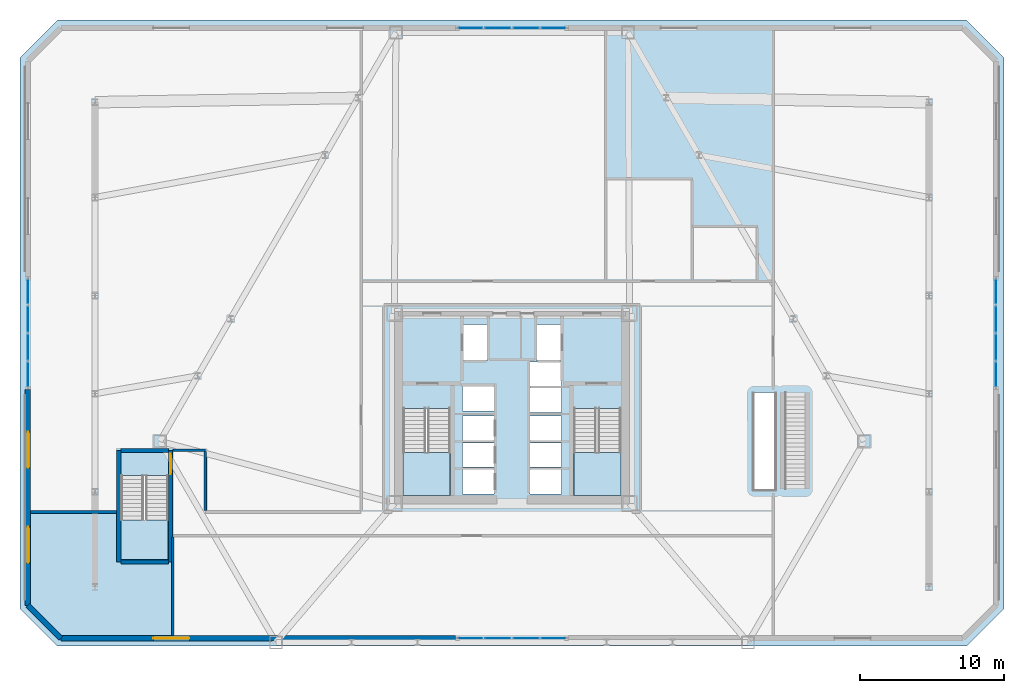
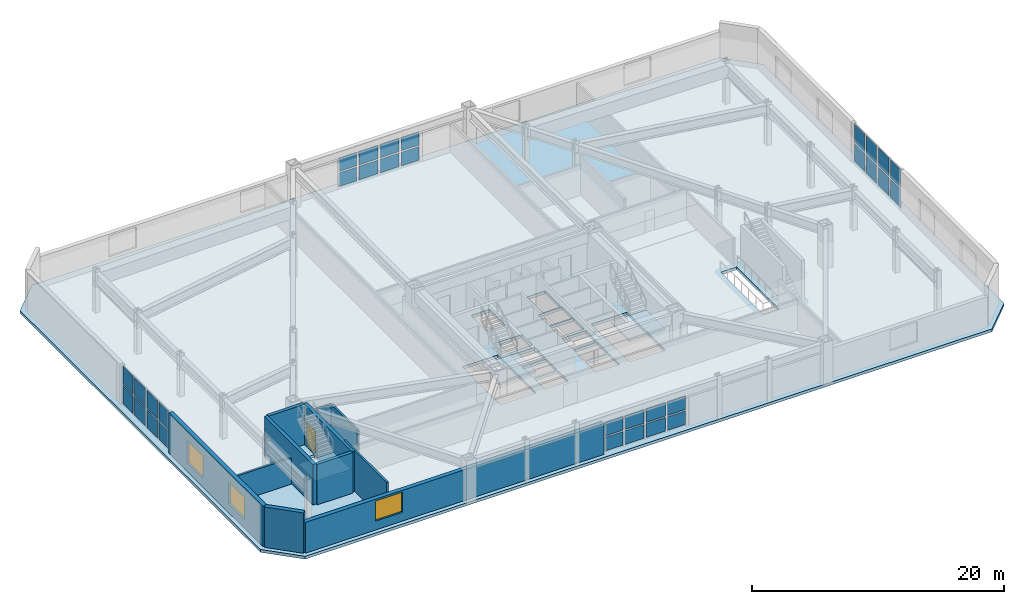
# One storey, part 13 of 22: 32 plates, 11 walls, 4 slabs, 3 windows, 1 door, 4 openings, 7 elements without a shape of their own.
"""IFC4 building model written with IfcOpenShell, lengths in metres."""

from ifc_helpers import new_model, si_unit, direction, frame, frame_2d, origin, origin_2d, place, context, subcontext, project, spatial, polyline, rectangle, outline, extrude, material, layer, layer_set, type_object, element, fill, aggregate, save


model = new_model("IFC4")

# Units and contexts
model_context = context("Model", 3, precision=1e-05, world=origin(), true_north=direction((0.0, 1.0)))
body_context = subcontext(model_context, "Body", "Model", "MODEL_VIEW")
ifc_project = project(units=[si_unit("LENGTHUNIT", "METRE"), si_unit("AREAUNIT", "SQUARE_METRE"), si_unit("VOLUMEUNIT", "CUBIC_METRE"), si_unit("PLANEANGLEUNIT", "RADIAN"), si_unit("MASSUNIT", "GRAM", prefix="KILO")], contexts=[model_context])

# Site, building, storey
site_placement = place(None, origin())
site = spatial("IfcSite", under=ifc_project, at=site_placement, CompositionType="ELEMENT")
building_placement = place(site_placement, origin())
building = spatial("IfcBuilding", under=site, at=building_placement, Name="Oramaril Tower", CompositionType="ELEMENT")
storey_placement = place(building_placement, frame((0.0, 0.0, 14.10009765625)))
storey = spatial("IfcBuildingStorey", under=building, at=storey_placement, Name="L03", CompositionType="ELEMENT", Elevation=14.10009765625)

# Curtain wall, plates
ifc_material_1 = material(Name="Anodised Aluminium 6063-T6", Category="aluminium")
ifc_layer_1 = layer(ifc_material_1, 0.219970703125)
ifc_layer_set_1 = layer_set([ifc_layer_1], Name="CWT-SYS2")
curtain_wall_type = type_object("IfcCurtainWallType", Name="CWT-SYS2", PredefinedType="NOTDEFINED", material=ifc_layer_set_1)
curtain_wall_1_placement = place(storey_placement, origin())
curtain_wall_1 = element("IfcCurtainWall", 1, at=curtain_wall_1_placement, inside=storey, type_object=curtain_wall_type, Name="L03 Unitised Curtain Wall CW-2", PredefinedType="NOTDEFINED")
ifc_material_2 = material(Name="Coastal Low-E Insulated Glass", Category="glass")
ifc_layer_2 = layer(ifc_material_2, 0.028076171875)
ifc_layer_set_2 = layer_set([ifc_layer_2], Name="PLT-CWP1")
plate_type = type_object("IfcPlateType", Name="PLT-CWP1", PredefinedType="CURTAIN_PANEL", material=ifc_layer_set_2)
plate_1_placement = place(storey_placement, frame((34.6298828125, 1.64990234375, 0.139892578125), z_axis=(0.0, 0.0, 1.0), x_axis=(1.0, 0.0, 0.0)))
plate_1 = element("IfcPlate", 2, at=plate_1_placement, type_object=plate_type, Name="CW-2 panel 1.1", PredefinedType="CURTAIN_PANEL", context=body_context, shape_type="SweptSolid", body=[
    extrude(rectangle(XDim=1.6201171875, YDim=0.028076171875, at=origin_2d()), origin(), (0.0, 0.0, 1.0), 1.31689453125),
])
plate_2_placement = place(storey_placement, frame((34.6298828125, 1.64990234375, 1.596923828125), z_axis=(0.0, 0.0, 1.0), x_axis=(1.0, 0.0, 0.0)))
plate_2 = element("IfcPlate", 3, at=plate_2_placement, type_object=plate_type, Name="CW-2 panel 1.2", PredefinedType="CURTAIN_PANEL", context=body_context, shape_type="SweptSolid", body=[
    extrude(rectangle(XDim=1.6201171875, YDim=0.028076171875, at=origin_2d()), origin(), (0.0, 0.0, 1.0), 1.31689453125),
])
plate_3_placement = place(storey_placement, frame((36.52490234375, 1.64990234375, 0.139892578125), z_axis=(0.0, 0.0, 1.0), x_axis=(1.0, 0.0, 0.0)))
plate_3 = element("IfcPlate", 4, at=plate_3_placement, type_object=plate_type, Name="CW-2 panel 2.1", PredefinedType="CURTAIN_PANEL", context=body_context, shape_type="SweptSolid", body=[
    extrude(rectangle(XDim=1.72998046875, YDim=0.028076171875, at=origin_2d()), origin(), (0.0, 0.0, 1.0), 1.31689453125),
])
plate_4_placement = place(storey_placement, frame((36.52490234375, 1.64990234375, 1.596923828125), z_axis=(0.0, 0.0, 1.0), x_axis=(1.0, 0.0, 0.0)))
plate_4 = element("IfcPlate", 5, at=plate_4_placement, type_object=plate_type, Name="CW-2 panel 2.2", PredefinedType="CURTAIN_PANEL", context=body_context, shape_type="SweptSolid", body=[
    extrude(rectangle(XDim=1.72998046875, YDim=0.028076171875, at=origin_2d()), origin(), (0.0, 0.0, 1.0), 1.31689453125),
])
plate_5_placement = place(storey_placement, frame((38.47509765625, 1.64990234375, 0.139892578125), z_axis=(0.0, 0.0, 1.0), x_axis=(1.0, 0.0, 0.0)))
plate_5 = element("IfcPlate", 6, at=plate_5_placement, type_object=plate_type, Name="CW-2 panel 3.1", PredefinedType="CURTAIN_PANEL", context=body_context, shape_type="SweptSolid", body=[
    extrude(rectangle(XDim=1.72998046875, YDim=0.028076171875, at=origin_2d()), origin(), (0.0, 0.0, 1.0), 1.31689453125),
])
plate_6_placement = place(storey_placement, frame((38.47509765625, 1.64990234375, 1.596923828125), z_axis=(0.0, 0.0, 1.0), x_axis=(1.0, 0.0, 0.0)))
plate_6 = element("IfcPlate", 7, at=plate_6_placement, type_object=plate_type, Name="CW-2 panel 3.2", PredefinedType="CURTAIN_PANEL", context=body_context, shape_type="SweptSolid", body=[
    extrude(rectangle(XDim=1.72998046875, YDim=0.028076171875, at=origin_2d()), origin(), (0.0, 0.0, 1.0), 1.31689453125),
])
plate_7_placement = place(storey_placement, frame((40.3701171875, 1.64990234375, 0.139892578125), z_axis=(0.0, 0.0, 1.0), x_axis=(1.0, 0.0, 0.0)))
plate_7 = element("IfcPlate", 8, at=plate_7_placement, type_object=plate_type, Name="CW-2 panel 4.1", PredefinedType="CURTAIN_PANEL", context=body_context, shape_type="SweptSolid", body=[
    extrude(rectangle(XDim=1.6201171875, YDim=0.028076171875, at=origin_2d()), origin(), (0.0, 0.0, 1.0), 1.31689453125),
])
plate_8_placement = place(storey_placement, frame((40.3701171875, 1.64990234375, 1.596923828125), z_axis=(0.0, 0.0, 1.0), x_axis=(1.0, 0.0, 0.0)))
plate_8 = element("IfcPlate", 9, at=plate_8_placement, type_object=plate_type, Name="CW-2 panel 4.2", PredefinedType="CURTAIN_PANEL", context=body_context, shape_type="SweptSolid", body=[
    extrude(rectangle(XDim=1.6201171875, YDim=0.028076171875, at=origin_2d()), origin(), (0.0, 0.0, 1.0), 1.31689453125),
])
aggregate(curtain_wall_1, [plate_1, plate_2, plate_3, plate_4, plate_5, plate_6, plate_7, plate_8])

curtain_wall_2_placement = place(storey_placement, origin())
curtain_wall_2 = element("IfcCurtainWall", 10, at=curtain_wall_2_placement, inside=storey, type_object=curtain_wall_type, Name="L03 Unitised Curtain Wall CW-2", PredefinedType="NOTDEFINED")
plate_9_placement = place(storey_placement, frame((71.050048828125, 19.929931640625, 0.139892578125), z_axis=(0.0, 0.0, 1.0), x_axis=(0.0, 1.0, 0.0)))
plate_9 = element("IfcPlate", 11, at=plate_9_placement, type_object=plate_type, Name="CW-2 panel 1.1", PredefinedType="CURTAIN_PANEL", context=body_context, shape_type="SweptSolid", body=[
    extrude(rectangle(XDim=1.6201171875, YDim=0.028076171875, at=origin_2d()), origin(), (0.0, 0.0, 1.0), 1.75),
])
plate_10_placement = place(storey_placement, frame((71.050048828125, 19.929931640625, 2.02978515625), z_axis=(0.0, 0.0, 1.0), x_axis=(0.0, 1.0, 0.0)))
plate_10 = element("IfcPlate", 12, at=plate_10_placement, type_object=plate_type, Name="CW-2 panel 1.2", PredefinedType="CURTAIN_PANEL", context=body_context, shape_type="SweptSolid", body=[
    extrude(rectangle(XDim=1.6201171875, YDim=0.028076171875, at=origin_2d()), origin(), (0.0, 0.0, 1.0), 1.75),
])
plate_11_placement = place(storey_placement, frame((71.050048828125, 21.824951171875, 0.139892578125), z_axis=(0.0, 0.0, 1.0), x_axis=(0.0, 1.0, 0.0)))
plate_11 = element("IfcPlate", 13, at=plate_11_placement, type_object=plate_type, Name="CW-2 panel 2.1", PredefinedType="CURTAIN_PANEL", context=body_context, shape_type="SweptSolid", body=[
    extrude(rectangle(XDim=1.72998046875, YDim=0.028076171875, at=origin_2d()), origin(), (0.0, 0.0, 1.0), 1.75),
])
plate_12_placement = place(storey_placement, frame((71.050048828125, 21.824951171875, 2.02978515625), z_axis=(0.0, 0.0, 1.0), x_axis=(0.0, 1.0, 0.0)))
plate_12 = element("IfcPlate", 14, at=plate_12_placement, type_object=plate_type, Name="CW-2 panel 2.2", PredefinedType="CURTAIN_PANEL", context=body_context, shape_type="SweptSolid", body=[
    extrude(rectangle(XDim=1.72998046875, YDim=0.028076171875, at=origin_2d()), origin(), (0.0, 0.0, 1.0), 1.75),
])
plate_13_placement = place(storey_placement, frame((71.050048828125, 23.77490234375, 0.139892578125), z_axis=(0.0, 0.0, 1.0), x_axis=(0.0, 1.0, 0.0)))
plate_13 = element("IfcPlate", 15, at=plate_13_placement, type_object=plate_type, Name="CW-2 panel 3.1", PredefinedType="CURTAIN_PANEL", context=body_context, shape_type="SweptSolid", body=[
    extrude(rectangle(XDim=1.72998046875, YDim=0.028076171875, at=origin_2d()), origin(), (0.0, 0.0, 1.0), 1.75),
])
plate_14_placement = place(storey_placement, frame((71.050048828125, 23.77490234375, 2.02978515625), z_axis=(0.0, 0.0, 1.0), x_axis=(0.0, 1.0, 0.0)))
plate_14 = element("IfcPlate", 16, at=plate_14_placement, type_object=plate_type, Name="CW-2 panel 3.2", PredefinedType="CURTAIN_PANEL", context=body_context, shape_type="SweptSolid", body=[
    extrude(rectangle(XDim=1.72998046875, YDim=0.028076171875, at=origin_2d()), origin(), (0.0, 0.0, 1.0), 1.75),
])
plate_15_placement = place(storey_placement, frame((71.050048828125, 25.669921875, 0.139892578125), z_axis=(0.0, 0.0, 1.0), x_axis=(0.0, 1.0, 0.0)))
plate_15 = element("IfcPlate", 17, at=plate_15_placement, type_object=plate_type, Name="CW-2 panel 4.1", PredefinedType="CURTAIN_PANEL", context=body_context, shape_type="SweptSolid", body=[
    extrude(rectangle(XDim=1.6201171875, YDim=0.028076171875, at=origin_2d()), origin(), (0.0, 0.0, 1.0), 1.75),
])
plate_16_placement = place(storey_placement, frame((71.050048828125, 25.669921875, 2.02978515625), z_axis=(0.0, 0.0, 1.0), x_axis=(0.0, 1.0, 0.0)))
plate_16 = element("IfcPlate", 18, at=plate_16_placement, type_object=plate_type, Name="CW-2 panel 4.2", PredefinedType="CURTAIN_PANEL", context=body_context, shape_type="SweptSolid", body=[
    extrude(rectangle(XDim=1.6201171875, YDim=0.028076171875, at=origin_2d()), origin(), (0.0, 0.0, 1.0), 1.75),
])
aggregate(curtain_wall_2, [plate_9, plate_10, plate_11, plate_12, plate_13, plate_14, plate_15, plate_16])

curtain_wall_3_placement = place(storey_placement, origin())
curtain_wall_3 = element("IfcCurtainWall", 19, at=curtain_wall_3_placement, inside=storey, type_object=curtain_wall_type, Name="L03 Unitised Curtain Wall CW-2", PredefinedType="NOTDEFINED")
plate_17_placement = place(storey_placement, frame((40.3701171875, 43.949951171875, 0.139892578125), z_axis=(0.0, 0.0, 1.0), x_axis=(-1.0, 0.0, 0.0)))
plate_17 = element("IfcPlate", 20, at=plate_17_placement, type_object=plate_type, Name="CW-2 panel 1.1", PredefinedType="CURTAIN_PANEL", context=body_context, shape_type="SweptSolid", body=[
    extrude(rectangle(XDim=1.6201171875, YDim=0.028076171875, at=origin_2d()), origin(), (0.0, 0.0, 1.0), 1.31689453125),
])
plate_18_placement = place(storey_placement, frame((40.3701171875, 43.949951171875, 1.596923828125), z_axis=(0.0, 0.0, 1.0), x_axis=(-1.0, 0.0, 0.0)))
plate_18 = element("IfcPlate", 21, at=plate_18_placement, type_object=plate_type, Name="CW-2 panel 1.2", PredefinedType="CURTAIN_PANEL", context=body_context, shape_type="SweptSolid", body=[
    extrude(rectangle(XDim=1.6201171875, YDim=0.028076171875, at=origin_2d()), origin(), (0.0, 0.0, 1.0), 1.31689453125),
])
plate_19_placement = place(storey_placement, frame((38.47509765625, 43.949951171875, 0.139892578125), z_axis=(0.0, 0.0, 1.0), x_axis=(-1.0, 0.0, 0.0)))
plate_19 = element("IfcPlate", 22, at=plate_19_placement, type_object=plate_type, Name="CW-2 panel 2.1", PredefinedType="CURTAIN_PANEL", context=body_context, shape_type="SweptSolid", body=[
    extrude(rectangle(XDim=1.72998046875, YDim=0.028076171875, at=origin_2d()), origin(), (0.0, 0.0, 1.0), 1.31689453125),
])
plate_20_placement = place(storey_placement, frame((38.47509765625, 43.949951171875, 1.596923828125), z_axis=(0.0, 0.0, 1.0), x_axis=(-1.0, 0.0, 0.0)))
plate_20 = element("IfcPlate", 23, at=plate_20_placement, type_object=plate_type, Name="CW-2 panel 2.2", PredefinedType="CURTAIN_PANEL", context=body_context, shape_type="SweptSolid", body=[
    extrude(rectangle(XDim=1.72998046875, YDim=0.028076171875, at=origin_2d()), origin(), (0.0, 0.0, 1.0), 1.31689453125),
])
plate_21_placement = place(storey_placement, frame((36.52490234375, 43.949951171875, 0.139892578125), z_axis=(0.0, 0.0, 1.0), x_axis=(-1.0, 0.0, 0.0)))
plate_21 = element("IfcPlate", 24, at=plate_21_placement, type_object=plate_type, Name="CW-2 panel 3.1", PredefinedType="CURTAIN_PANEL", context=body_context, shape_type="SweptSolid", body=[
    extrude(rectangle(XDim=1.72998046875, YDim=0.028076171875, at=origin_2d()), origin(), (0.0, 0.0, 1.0), 1.31689453125),
])
plate_22_placement = place(storey_placement, frame((36.52490234375, 43.949951171875, 1.596923828125), z_axis=(0.0, 0.0, 1.0), x_axis=(-1.0, 0.0, 0.0)))
plate_22 = element("IfcPlate", 25, at=plate_22_placement, type_object=plate_type, Name="CW-2 panel 3.2", PredefinedType="CURTAIN_PANEL", context=body_context, shape_type="SweptSolid", body=[
    extrude(rectangle(XDim=1.72998046875, YDim=0.028076171875, at=origin_2d()), origin(), (0.0, 0.0, 1.0), 1.31689453125),
])
plate_23_placement = place(storey_placement, frame((34.6298828125, 43.949951171875, 0.139892578125), z_axis=(0.0, 0.0, 1.0), x_axis=(-1.0, 0.0, 0.0)))
plate_23 = element("IfcPlate", 26, at=plate_23_placement, type_object=plate_type, Name="CW-2 panel 4.1", PredefinedType="CURTAIN_PANEL", context=body_context, shape_type="SweptSolid", body=[
    extrude(rectangle(XDim=1.6201171875, YDim=0.028076171875, at=origin_2d()), origin(), (0.0, 0.0, 1.0), 1.31689453125),
])
plate_24_placement = place(storey_placement, frame((34.6298828125, 43.949951171875, 1.596923828125), z_axis=(0.0, 0.0, 1.0), x_axis=(-1.0, 0.0, 0.0)))
plate_24 = element("IfcPlate", 27, at=plate_24_placement, type_object=plate_type, Name="CW-2 panel 4.2", PredefinedType="CURTAIN_PANEL", context=body_context, shape_type="SweptSolid", body=[
    extrude(rectangle(XDim=1.6201171875, YDim=0.028076171875, at=origin_2d()), origin(), (0.0, 0.0, 1.0), 1.31689453125),
])
aggregate(curtain_wall_3, [plate_17, plate_18, plate_19, plate_20, plate_21, plate_22, plate_23, plate_24])

curtain_wall_4_placement = place(storey_placement, origin())
curtain_wall_4 = element("IfcCurtainWall", 28, at=curtain_wall_4_placement, inside=storey, type_object=curtain_wall_type, Name="L03 Unitised Curtain Wall CW-2", PredefinedType="NOTDEFINED")
plate_25_placement = place(storey_placement, frame((3.949951171875, 25.669921875, 0.139892578125), z_axis=(0.0, 0.0, 1.0), x_axis=(0.0, -1.0, 0.0)))
plate_25 = element("IfcPlate", 29, at=plate_25_placement, type_object=plate_type, Name="CW-2 panel 1.1", PredefinedType="CURTAIN_PANEL", context=body_context, shape_type="SweptSolid", body=[
    extrude(rectangle(XDim=1.6201171875, YDim=0.028076171875, at=origin_2d()), origin(), (0.0, 0.0, 1.0), 1.75),
])
plate_26_placement = place(storey_placement, frame((3.949951171875, 25.669921875, 2.02978515625), z_axis=(0.0, 0.0, 1.0), x_axis=(0.0, -1.0, 0.0)))
plate_26 = element("IfcPlate", 30, at=plate_26_placement, type_object=plate_type, Name="CW-2 panel 1.2", PredefinedType="CURTAIN_PANEL", context=body_context, shape_type="SweptSolid", body=[
    extrude(rectangle(XDim=1.6201171875, YDim=0.028076171875, at=origin_2d()), origin(), (0.0, 0.0, 1.0), 1.75),
])
plate_27_placement = place(storey_placement, frame((3.949951171875, 23.77490234375, 0.139892578125), z_axis=(0.0, 0.0, 1.0), x_axis=(0.0, -1.0, 0.0)))
plate_27 = element("IfcPlate", 31, at=plate_27_placement, type_object=plate_type, Name="CW-2 panel 2.1", PredefinedType="CURTAIN_PANEL", context=body_context, shape_type="SweptSolid", body=[
    extrude(rectangle(XDim=1.72998046875, YDim=0.028076171875, at=origin_2d()), origin(), (0.0, 0.0, 1.0), 1.75),
])
plate_28_placement = place(storey_placement, frame((3.949951171875, 23.77490234375, 2.02978515625), z_axis=(0.0, 0.0, 1.0), x_axis=(0.0, -1.0, 0.0)))
plate_28 = element("IfcPlate", 32, at=plate_28_placement, type_object=plate_type, Name="CW-2 panel 2.2", PredefinedType="CURTAIN_PANEL", context=body_context, shape_type="SweptSolid", body=[
    extrude(rectangle(XDim=1.72998046875, YDim=0.028076171875, at=origin_2d()), origin(), (0.0, 0.0, 1.0), 1.75),
])
plate_29_placement = place(storey_placement, frame((3.949951171875, 21.824951171875, 0.139892578125), z_axis=(0.0, 0.0, 1.0), x_axis=(0.0, -1.0, 0.0)))
plate_29 = element("IfcPlate", 33, at=plate_29_placement, type_object=plate_type, Name="CW-2 panel 3.1", PredefinedType="CURTAIN_PANEL", context=body_context, shape_type="SweptSolid", body=[
    extrude(rectangle(XDim=1.72998046875, YDim=0.028076171875, at=origin_2d()), origin(), (0.0, 0.0, 1.0), 1.75),
])
plate_30_placement = place(storey_placement, frame((3.949951171875, 21.824951171875, 2.02978515625), z_axis=(0.0, 0.0, 1.0), x_axis=(0.0, -1.0, 0.0)))
plate_30 = element("IfcPlate", 34, at=plate_30_placement, type_object=plate_type, Name="CW-2 panel 3.2", PredefinedType="CURTAIN_PANEL", context=body_context, shape_type="SweptSolid", body=[
    extrude(rectangle(XDim=1.72998046875, YDim=0.028076171875, at=origin_2d()), origin(), (0.0, 0.0, 1.0), 1.75),
])
plate_31_placement = place(storey_placement, frame((3.949951171875, 19.929931640625, 0.139892578125), z_axis=(0.0, 0.0, 1.0), x_axis=(0.0, -1.0, 0.0)))
plate_31 = element("IfcPlate", 35, at=plate_31_placement, type_object=plate_type, Name="CW-2 panel 4.1", PredefinedType="CURTAIN_PANEL", context=body_context, shape_type="SweptSolid", body=[
    extrude(rectangle(XDim=1.6201171875, YDim=0.028076171875, at=origin_2d()), origin(), (0.0, 0.0, 1.0), 1.75),
])
plate_32_placement = place(storey_placement, frame((3.949951171875, 19.929931640625, 2.02978515625), z_axis=(0.0, 0.0, 1.0), x_axis=(0.0, -1.0, 0.0)))
plate_32 = element("IfcPlate", 36, at=plate_32_placement, type_object=plate_type, Name="CW-2 panel 4.2", PredefinedType="CURTAIN_PANEL", context=body_context, shape_type="SweptSolid", body=[
    extrude(rectangle(XDim=1.6201171875, YDim=0.028076171875, at=origin_2d()), origin(), (0.0, 0.0, 1.0), 1.75),
])
aggregate(curtain_wall_4, [plate_25, plate_26, plate_27, plate_28, plate_29, plate_30, plate_31, plate_32])

# Stair, slab
ifc_material_3 = material(Name="Concrete C50/60", Category="concrete")
stair_type = type_object("IfcStairType", Name="STT-DG-4200", PredefinedType="HALF_TURN_STAIR", material=ifc_material_3)
stair_1_placement = place(storey_placement, origin())
stair_1 = element("IfcStair", 37, at=stair_1_placement, inside=storey, type_object=stair_type, Name="L03 Protected PFP Exit Stair ST-1", PredefinedType="HALF_TURN_STAIR")
ifc_material_4 = material(Name="Concrete C50/60", Category="concrete")
ifc_layer_3 = layer(ifc_material_4, 0.199951171875)
ifc_layer_set_3 = layer_set([ifc_layer_3], Name="SLT-LND20")
slab_type_1 = type_object("IfcSlabType", Name="SLT-LND20", PredefinedType="LANDING", material=ifc_layer_set_3)
slab_1_placement = place(storey_placement, frame((0.0, 0.0, 1.89990234375)))
slab_1 = element("IfcSlab", 38, at=slab_1_placement, type_object=slab_type_1, Name="ST-1 landing 1", PredefinedType="LANDING", context=body_context, shape_type="SweptSolid", body=[
    extrude(outline(polyline([(29.949951171875, 14.510009765625), (29.949951171875, 11.550048828125), (33.219970703125, 11.550048828125), (33.219970703125, 14.510009765625), (29.949951171875, 14.510009765625)])), origin(), (0.0, 0.0, 1.0), 0.199951171875),
])
aggregate(stair_1, [slab_1])

stair_2_placement = place(storey_placement, origin())
stair_2 = element("IfcStair", 39, at=stair_2_placement, inside=storey, type_object=stair_type, Name="L03 Protected PFP Exit Stair ST-2", PredefinedType="HALF_TURN_STAIR")
slab_2_placement = place(storey_placement, frame((0.0, 0.0, 1.89990234375)))
slab_2 = element("IfcSlab", 40, at=slab_2_placement, type_object=slab_type_1, Name="ST-2 landing 1", PredefinedType="LANDING", context=body_context, shape_type="SweptSolid", body=[
    extrude(outline(polyline([(41.780029296875, 14.510009765625), (41.780029296875, 11.550048828125), (45.050048828125, 11.550048828125), (45.050048828125, 14.510009765625), (41.780029296875, 14.510009765625)])), origin(), (0.0, 0.0, 1.0), 0.199951171875),
])
aggregate(stair_2, [slab_2])

stair_3_placement = place(storey_placement, origin())
stair_3 = element("IfcStair", 41, at=stair_3_placement, inside=storey, type_object=stair_type, Name="L03 Podium Enclosed Exit Stair ST-3", PredefinedType="HALF_TURN_STAIR")
slab_3_placement = place(storey_placement, frame((0.0, 0.0, 1.89990234375)))
slab_3 = element("IfcSlab", 42, at=slab_3_placement, type_object=slab_type_1, Name="ST-3 landing 1", PredefinedType="LANDING", context=body_context, shape_type="SweptSolid", body=[
    extrude(outline(polyline([(10.39990234375, 9.860107421875), (10.39990234375, 7.10009765625), (13.669921875, 7.10009765625), (13.669921875, 9.860107421875), (10.39990234375, 9.860107421875)])), origin(), (0.0, 0.0, 1.0), 0.199951171875),
])
aggregate(stair_3, [slab_3])

# Slab
ifc_material_5 = material(Name="Concrete C50/60", Category="concrete")
ifc_layer_4 = layer(ifc_material_5, 0.280029296875)
ifc_layer_set_4 = layer_set([ifc_layer_4], Name="SLT-POD28")
slab_type_2 = type_object("IfcSlabType", Name="SLT-POD28", PredefinedType="FLOOR", material=ifc_layer_set_4)
slab_4_placement = place(storey_placement, frame((0.0, 0.0, -0.280029296875)))
element("IfcSlab", 43, at=slab_4_placement, inside=storey, type_object=slab_type_2, Name="L03 Structural Floor Slab", PredefinedType="FLOOR", context=body_context, shape_type="SweptSolid", body=[
    extrude(outline(polyline([(6.0, 1.10009765625), (69.0, 1.10009765625), (71.60009765625, 3.699951171875), (71.60009765625, 41.89990234375), (69.0, 44.5), (6.0, 44.5), (3.39990234375, 41.89990234375), (3.39990234375, 3.699951171875), (6.0, 1.10009765625)]), holes=[polyline([(29.949951171875, 17.58935546875), (29.949951171875, 11.550048828125), (33.219970703125, 11.550048828125), (33.219970703125, 17.58935546875), (29.949951171875, 17.58935546875)]), polyline([(41.780029296875, 17.58935546875), (41.780029296875, 11.550048828125), (45.050048828125, 11.550048828125), (45.050048828125, 17.58935546875), (41.780029296875, 17.58935546875)]), polyline([(10.39990234375, 12.939453125), (10.39990234375, 7.10009765625), (13.669921875, 7.10009765625), (13.669921875, 12.939453125), (10.39990234375, 12.939453125)]), polyline([(54.27490234375, 11.949951171875), (55.72509765625, 11.949951171875), (55.72509765625, 18.66943359375), (54.27490234375, 18.66943359375), (54.27490234375, 11.949951171875)]), polyline([(34.110107421875, 20.909912109375), (35.7900390625, 20.909912109375), (35.7900390625, 23.389892578125), (34.110107421875, 23.389892578125), (34.110107421875, 20.909912109375)]), polyline([(39.2099609375, 20.909912109375), (40.889892578125, 20.909912109375), (40.889892578125, 23.389892578125), (39.2099609375, 23.389892578125), (39.2099609375, 20.909912109375)]), polyline([(34.06005859375, 11.659912109375), (36.239990234375, 11.659912109375), (36.239990234375, 13.340087890625), (34.06005859375, 13.340087890625), (34.06005859375, 11.659912109375)]), polyline([(34.06005859375, 13.510009765625), (36.239990234375, 13.510009765625), (36.239990234375, 15.18994140625), (34.06005859375, 15.18994140625), (34.06005859375, 13.510009765625)]), polyline([(34.06005859375, 15.360107421875), (36.239990234375, 15.360107421875), (36.239990234375, 17.0400390625), (34.06005859375, 17.0400390625), (34.06005859375, 15.360107421875)]), polyline([(38.760009765625, 11.659912109375), (40.93994140625, 11.659912109375), (40.93994140625, 13.340087890625), (38.760009765625, 13.340087890625), (38.760009765625, 11.659912109375)]), polyline([(38.760009765625, 13.510009765625), (40.93994140625, 13.510009765625), (40.93994140625, 15.18994140625), (38.760009765625, 15.18994140625), (38.760009765625, 13.510009765625)]), polyline([(38.760009765625, 15.360107421875), (40.93994140625, 15.360107421875), (40.93994140625, 17.0400390625), (38.760009765625, 17.0400390625), (38.760009765625, 15.360107421875)]), polyline([(34.06005859375, 17.409912109375), (36.239990234375, 17.409912109375), (36.239990234375, 19.090087890625), (34.06005859375, 19.090087890625), (34.06005859375, 17.409912109375)]), polyline([(38.760009765625, 17.31005859375), (40.93994140625, 17.31005859375), (40.93994140625, 18.989990234375), (38.760009765625, 18.989990234375), (38.760009765625, 17.31005859375)]), polyline([(38.760009765625, 19.110107421875), (40.93994140625, 19.110107421875), (40.93994140625, 20.7900390625), (38.760009765625, 20.7900390625), (38.760009765625, 19.110107421875)])]), origin(), (0.0, 0.0, 1.0), 0.280029296875),
])

# Wall, opening, window
ifc_material_6 = material(Name="Warm Cream Limestone", Category="masonry")
ifc_layer_5 = layer(ifc_material_6, 0.3798828125)
ifc_layer_set_5 = layer_set([ifc_layer_5], Name="WT-EXT38")
wall_type_1 = type_object("IfcWallType", Name="WT-EXT38", PredefinedType="SOLIDWALL", material=ifc_layer_set_5)
wall_1_placement = place(storey_placement, frame((6.227783203125, 1.64990234375, 0.0), z_axis=(0.0, 0.0, 1.0), x_axis=(1.0, 0.0, 0.0)))
wall_1 = element("IfcWall", 44, at=wall_1_placement, inside=storey, type_object=wall_type_1, Name="L03 Limestone Facade Wall EW-1A", PredefinedType="SOLIDWALL", context=body_context, shape_type="SweptSolid", body=[
    extrude(rectangle(XDim=27.372314453125, YDim=0.3798828125, at=frame_2d((13.68603515625, 0.0))), origin(), (0.0, 0.0, 1.0), 2.98291015625),
])
opening_1_placement = place(wall_1_placement, frame((6.414306640625, 0.0, 0.85009765625)))
opening_1 = element("IfcOpeningElement", 45, at=opening_1_placement, cuts=wall_1, Name="Opening WN-11", PredefinedType="OPENING", context=body_context, shape_type="SweptSolid", body=[
    extrude(rectangle(XDim=2.5, YDim=1.962890625, at=frame_2d((1.25, 0.9814453125))), frame((0.0, 0.18994140625, 0.0), z_axis=(0.0, -1.0, 0.0), x_axis=(1.0, 0.0, 0.0)), (0.0, 0.0, 1.0), 0.3798828125),
])
ifc_material_7 = material(Name="Coastal Low-E Insulated Glass", Category="glass")
window_type = type_object("IfcWindowType", Name="WNT-11", PartitioningType="SINGLE_PANEL", PredefinedType="WINDOW", material=ifc_material_7)
window_1_placement = place(opening_1_placement, origin())
window_1 = element("IfcWindow", 46, at=window_1_placement, inside=storey, type_object=window_type, Name="L03 Podium Chicago Window", OverallHeight=1.962890625, OverallWidth=2.5, PartitioningType="SINGLE_PANEL", PredefinedType="WINDOW", context=body_context, shape_type="SweptSolid", body=[
    extrude(rectangle(XDim=2.5, YDim=1.962890625, at=frame_2d((1.25, 0.9814453125))), frame((0.0, 0.030029296875, 0.0), z_axis=(0.0, -1.0, 0.0), x_axis=(1.0, 0.0, 0.0)), (0.0, 0.0, 1.0), 0.06005859375),
])
fill(opening_1, window_1)

# Wall, openings, windows
wall_2_placement = place(storey_placement, frame((3.949951171875, 18.89990234375, 0.0), z_axis=(0.0, 0.0, 1.0), x_axis=(0.0, -1.0, 0.0)))
wall_2 = element("IfcWall", 47, at=wall_2_placement, inside=storey, type_object=wall_type_1, Name="L03 Limestone Facade Wall EW-7B", PredefinedType="SOLIDWALL", context=body_context, shape_type="SweptSolid", body=[
    extrude(rectangle(XDim=14.97216796875, YDim=0.3798828125, at=frame_2d((7.486083984375, 0.0))), origin(), (0.0, 0.0, 1.0), 3.919921875),
])
opening_2_placement = place(wall_2_placement, frame((2.942138671875, 0.0, 0.85009765625)))
opening_2 = element("IfcOpeningElement", 48, at=opening_2_placement, cuts=wall_2, Name="Opening WN-11", PredefinedType="OPENING", context=body_context, shape_type="SweptSolid", body=[
    extrude(rectangle(XDim=2.5, YDim=2.14990234375, at=frame_2d((1.25, 1.074951171875))), frame((0.0, 0.18994140625, 0.0), z_axis=(0.0, -1.0, 0.0), x_axis=(1.0, 0.0, 0.0)), (0.0, 0.0, 1.0), 0.3798828125),
])
opening_3_placement = place(wall_2_placement, frame((9.530029296875, 0.0, 0.85009765625)))
opening_3 = element("IfcOpeningElement", 49, at=opening_3_placement, cuts=wall_2, Name="Opening WN-11", PredefinedType="OPENING", context=body_context, shape_type="SweptSolid", body=[
    extrude(rectangle(XDim=2.5, YDim=2.14990234375, at=frame_2d((1.25, 1.074951171875))), frame((0.0, 0.18994140625, 0.0), z_axis=(0.0, -1.0, 0.0), x_axis=(1.0, 0.0, 0.0)), (0.0, 0.0, 1.0), 0.3798828125),
])
window_2_placement = place(opening_2_placement, origin())
window_2 = element("IfcWindow", 50, at=window_2_placement, inside=storey, type_object=window_type, Name="L03 Podium Chicago Window", OverallHeight=2.14990234375, OverallWidth=2.5, PartitioningType="SINGLE_PANEL", PredefinedType="WINDOW", context=body_context, shape_type="SweptSolid", body=[
    extrude(rectangle(XDim=2.5, YDim=2.14990234375, at=frame_2d((1.25, 1.074951171875))), frame((0.0, 0.030029296875, 0.0), z_axis=(0.0, -1.0, 0.0), x_axis=(1.0, 0.0, 0.0)), (0.0, 0.0, 1.0), 0.06005859375),
])
fill(opening_2, window_2)
window_3_placement = place(opening_3_placement, origin())
window_3 = element("IfcWindow", 51, at=window_3_placement, inside=storey, type_object=window_type, Name="L03 Podium Chicago Window", OverallHeight=2.14990234375, OverallWidth=2.5, PartitioningType="SINGLE_PANEL", PredefinedType="WINDOW", context=body_context, shape_type="SweptSolid", body=[
    extrude(rectangle(XDim=2.5, YDim=2.14990234375, at=frame_2d((1.25, 1.074951171875))), frame((0.0, 0.030029296875, 0.0), z_axis=(0.0, -1.0, 0.0), x_axis=(1.0, 0.0, 0.0)), (0.0, 0.0, 1.0), 0.06005859375),
])
fill(opening_3, window_3)

# Walls
wall_3_placement = place(storey_placement, frame((3.949951171875, 3.927734375, 0.0), z_axis=(0.0, 0.0, 1.0), x_axis=(0.707106781187, -0.707106781187, 0.0)))
element("IfcWall", 52, at=wall_3_placement, inside=storey, type_object=wall_type_1, Name="L03 Limestone Facade Wall EW-8M", PredefinedType="SOLIDWALL", context=body_context, shape_type="SweptSolid", body=[
    extrude(rectangle(XDim=3.221435546875, YDim=0.3798828125, at=frame_2d((1.61083984375, 0.0))), origin(), (0.0, 0.0, 1.0), 3.919921875),
])
ifc_material_8 = material(Name="Autoclaved Cellular Concrete Block", Category="concrete")
ifc_layer_6 = layer(ifc_material_8, 0.179931640625)
ifc_layer_set_6 = layer_set([ifc_layer_6], Name="WT-PT18")
wall_type_2 = type_object("IfcWallType", Name="WT-PT18", PredefinedType="PARTITIONING", material=ifc_layer_set_6)
wall_4_placement = place(storey_placement, frame((4.14404296875, 10.39990234375, 0.0), z_axis=(0.0, 0.0, 1.0), x_axis=(1.0, 0.0, 0.0)))
element("IfcWall", 53, at=wall_4_placement, inside=storey, type_object=wall_type_2, Name="L03 Interior Partition PT-18", PredefinedType="PARTITIONING", context=body_context, shape_type="SweptSolid", body=[
    extrude(rectangle(XDim=5.93603515625, YDim=0.179931640625, at=frame_2d((2.968017578125, 0.0))), origin(), (0.0, 0.0, 1.0), 2.52978515625),
])
wall_5_placement = place(storey_placement, frame((13.989990234375, 14.679931640625, 0.0), z_axis=(0.0, 0.0, 1.0), x_axis=(1.0, 0.0, 0.0)))
element("IfcWall", 54, at=wall_5_placement, inside=storey, type_object=wall_type_2, Name="L03 Interior Partition PT-18", PredefinedType="PARTITIONING", context=body_context, shape_type="SweptSolid", body=[
    extrude(rectangle(XDim=2.260009765625, YDim=0.179931640625, at=frame_2d((1.1298828125, 0.0))), origin(), (0.0, 0.0, 1.0), 2.98291015625),
])
wall_6_placement = place(storey_placement, frame((14.0, 1.843994140625, 0.0), z_axis=(0.0, 0.0, 1.0), x_axis=(0.0, 1.0, 0.0)))
element("IfcWall", 55, at=wall_6_placement, inside=storey, type_object=wall_type_2, Name="L03 Interior Partition PT-18", PredefinedType="PARTITIONING", context=body_context, shape_type="SweptSolid", body=[
    extrude(rectangle(XDim=6.81201171875, YDim=0.179931640625, at=frame_2d((3.406005859375, 0.0))), origin(), (0.0, 0.0, 1.0), 3.919921875),
])
wall_7_placement = place(storey_placement, frame((16.25, 10.493896484375, 0.0), z_axis=(0.0, 0.0, 1.0), x_axis=(0.0, 1.0, 0.0)))
element("IfcWall", 56, at=wall_7_placement, inside=storey, type_object=wall_type_2, Name="L03 Interior Partition PT-18", PredefinedType="PARTITIONING", context=body_context, shape_type="SweptSolid", body=[
    extrude(rectangle(XDim=4.092041015625, YDim=0.179931640625, at=frame_2d((2.0458984375, 0.0))), origin(), (0.0, 0.0, 1.0), 2.98291015625),
])
ifc_material_9 = material(Name="Concrete C50/60", Category="concrete")
ifc_layer_7 = layer(ifc_material_9, 0.300048828125)
ifc_layer_set_7 = layer_set([ifc_layer_7], Name="WT-SH30")
wall_type_3 = type_object("IfcWallType", Name="WT-SH30", PredefinedType="SHEAR", material=ifc_layer_set_7)
wall_8_placement = place(storey_placement, frame((10.239990234375, 6.93994140625, 0.0), z_axis=(0.0, 0.0, 1.0), x_axis=(0.0, 1.0, 0.0)))
element("IfcWall", 57, at=wall_8_placement, inside=storey, type_object=wall_type_3, Name="L03 Stair ST-3 Shear Wall ST3W", PredefinedType="SHEAR", context=body_context, shape_type="SweptSolid", body=[
    extrude(rectangle(XDim=7.719970703125, YDim=0.300048828125, at=frame_2d((3.85986328125, 0.0))), origin(), (0.0, 0.0, 1.0), 3.919921875),
])

# Wall, opening, door
wall_9_placement = place(storey_placement, frame((13.830078125, 6.93994140625, 0.0), z_axis=(0.0, 0.0, 1.0), x_axis=(0.0, 1.0, 0.0)))
wall_9 = element("IfcWall", 58, at=wall_9_placement, inside=storey, type_object=wall_type_3, Name="L03 Stair ST-3 Shear Wall ST3E", PredefinedType="SHEAR", context=body_context, shape_type="SweptSolid", body=[
    extrude(rectangle(XDim=7.719970703125, YDim=0.300048828125, at=frame_2d((3.85986328125, 0.0))), origin(), (0.0, 0.0, 1.0), 3.919921875),
])
opening_4_placement = place(wall_9_placement, frame((6.080078125, 0.0, 0.0)))
opening_4 = element("IfcOpeningElement", 59, at=opening_4_placement, cuts=wall_9, Name="Opening D-L03-ST3", PredefinedType="OPENING", context=body_context, shape_type="SweptSolid", body=[
    extrude(rectangle(XDim=1.39990234375, YDim=2.199951171875, at=frame_2d((0.699951171875, 1.10009765625))), frame((0.0, 0.14990234375, 0.0), z_axis=(0.0, -1.0, 0.0), x_axis=(1.0, 0.0, 0.0)), (0.0, 0.0, 1.0), 0.300048828125),
])
ifc_material_10 = material(Name="Painted Galvanised Steel", Category="steel")
door_type = type_object("IfcDoorType", Name="DT-ST", OperationType="NOTDEFINED", PredefinedType="DOOR", material=ifc_material_10)
door_placement = place(opening_4_placement, origin())
door = element("IfcDoor", 60, at=door_placement, inside=storey, type_object=door_type, Name="L03 Stair ST-3 Protected Door", OperationType="SINGLE_SWING_RIGHT", OverallHeight=2.199951171875, OverallWidth=1.39990234375, PredefinedType="DOOR", context=body_context, shape_type="SweptSolid", body=[
    extrude(rectangle(XDim=1.39990234375, YDim=2.199951171875, at=frame_2d((0.699951171875, 1.10009765625))), frame((0.0, 0.02490234375, 0.0), z_axis=(0.0, -1.0, 0.0), x_axis=(1.0, 0.0, 0.0)), (0.0, 0.0, 1.0), 0.050048828125),
])
fill(opening_4, door)

# Walls
for number, where, z_axis, x_axis, name in (
    (61, (10.389892578125, 6.93994140625, 0.0), (0.0, 0.0, 1.0), (1.0, 0.0, 0.0), "L03 Stair ST-3 Shear Wall ST3S"),
    (62, (10.389892578125, 14.659912109375, 0.0), (0.0, 0.0, 1.0), (1.0, 0.0, 0.0), "L03 Stair ST-3 Shear Wall ST3N"),
):
    element("IfcWall", number, at=place(storey_placement, frame(where, z_axis=z_axis, x_axis=x_axis)), inside=storey, type_object=wall_type_3, Name=name, PredefinedType="SHEAR", context=body_context, shape_type="SweptSolid", body=[
        extrude(rectangle(XDim=3.2900390625, YDim=0.300048828125, at=frame_2d((1.64501953125, 0.0))), origin(), (0.0, 0.0, 1.0), 3.919921875),
    ])

save(model, "model.ifc")
